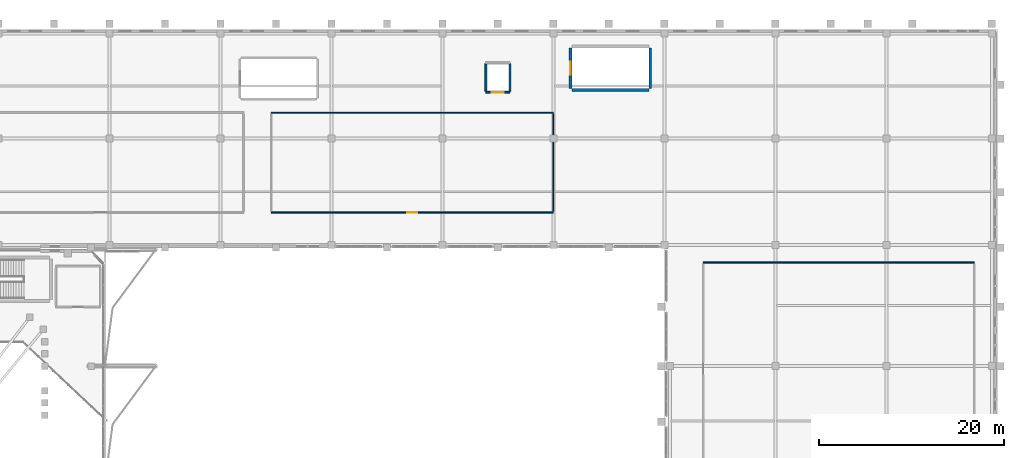
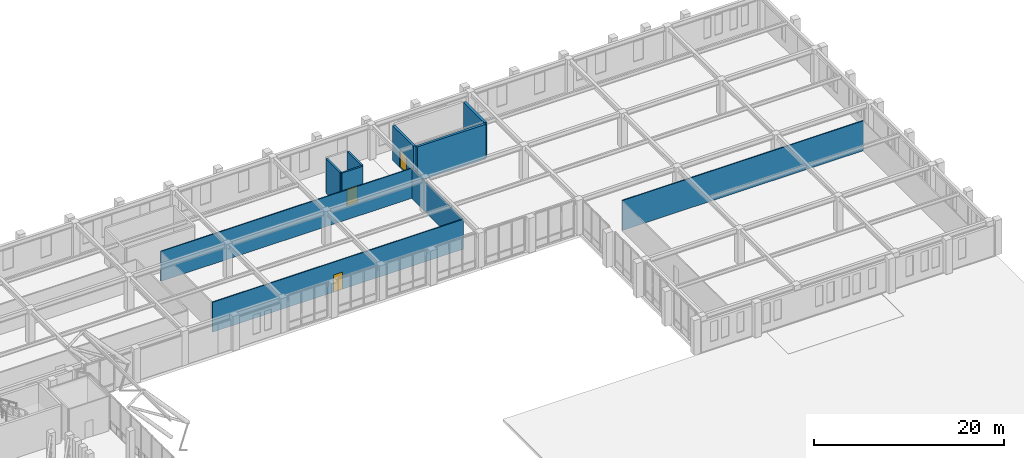
# One storey, part 64 of 79: 10 walls, 3 doors, 3 openings.
"""IFC4 building model written with IfcOpenShell, lengths in metres."""

import ifcopenshell
import ifcopenshell.guid

model = None  # the IFC model being written
_history = None  # IfcOwnerHistory: only IFC2X3 demands one
_inside = {}  # id of a spatial element -> (the spatial element, [elements in it])
_under = {}  # id of a project, library or spatial element -> (it, [spatial elements below it])
_declared = {}  # id of a project -> (the project, [libraries it declares])
_typed = {}  # id of a type object -> (the type object, [elements of that type])
_made_of = {}  # id of a material, layer set ... -> (it, [elements and type objects made of it])


def new_model(schema):
    """Start an empty IFC model of exactly this schema.

    Asked for "IFC4X3", IfcOpenShell would pick the latest addendum, in which some entities
    have other attributes; the version numbers below select the first issue.
    IFC2X3 requires an IfcOwnerHistory on every rooted entity: one is made here for all.
    """
    global model, _history
    if schema == "IFC4X3":
        model = ifcopenshell.file(schema_version=(4, 3, 0, 0))
    else:
        model = ifcopenshell.file(schema=schema)
    _inside.clear()
    _under.clear()
    _declared.clear()
    _typed.clear()
    _made_of.clear()
    _history = None
    if model.schema == "IFC2X3":
        org = make("IfcOrganization", Name="unknown")
        user = make(
            "IfcPersonAndOrganization",
            ThePerson=make("IfcPerson", FamilyName="unknown"),
            TheOrganization=org,
        )
        app = make(
            "IfcApplication",
            ApplicationDeveloper=org,
            Version="unknown",
            ApplicationFullName="unknown",
            ApplicationIdentifier="unknown",
        )
        _history = make(
            "IfcOwnerHistory",
            OwningUser=user,
            OwningApplication=app,
            ChangeAction="ADDED",
            CreationDate=0,
        )
    return model


def make(cls, **values):
    """One entity of the class cls with the attributes given. An attribute that is None is left unset."""
    return model.create_entity(
        cls, **{name: value for name, value in values.items() if value is not None}
    )


def rooted(cls, **values):
    """An entity with a GlobalId (a new one), such as an element, a storey or a relation."""
    return make(cls, GlobalId=ifcopenshell.guid.new(), OwnerHistory=_history, **values)


def si_unit(unit_type, name, prefix=None):
    """IfcSIUnit, for example si_unit("LENGTHUNIT", "METRE", prefix="MILLI")."""
    return make("IfcSIUnit", UnitType=unit_type, Prefix=prefix, Name=name)


def derived_unit(unit_type, elements):
    """IfcDerivedUnit: a product of units, each with its exponent."""
    return make(
        "IfcDerivedUnit",
        Elements=[
            make("IfcDerivedUnitElement", Unit=unit, Exponent=power)
            for unit, power in elements
        ],
        UnitType=unit_type,
    )


def assignment(units):
    """IfcUnitAssignment: the units of a project."""
    return None if units is None else make("IfcUnitAssignment", Units=units)


def point(xyz):
    """IfcCartesianPoint."""
    return None if xyz is None else make("IfcCartesianPoint", Coordinates=xyz)


def direction(xyz):
    """IfcDirection."""
    return None if xyz is None else make("IfcDirection", DirectionRatios=xyz)


def frame(location, z_axis=None, x_axis=None):
    """IfcAxis2Placement3D, a coordinate frame: its origin and axes. An axis left out is left unset."""
    return make(
        "IfcAxis2Placement3D",
        Location=point(location),
        Axis=direction(z_axis),
        RefDirection=direction(x_axis),
    )


def frame_2d(location, x_axis=None):
    """IfcAxis2Placement2D, a coordinate frame in the plane: its origin and x axis."""
    return make(
        "IfcAxis2Placement2D", Location=point(location), RefDirection=direction(x_axis)
    )


def origin():
    """The frame at (0, 0, 0) with its axes left unset."""
    return frame((0.0, 0.0, 0.0))


def place(relative_to, where):
    """IfcLocalPlacement: puts the frame where relative to a parent placement (None: the world)."""
    return make(
        "IfcLocalPlacement", PlacementRelTo=relative_to, RelativePlacement=where
    )


def context(
    kind, dimensions, precision=None, world=None, true_north=None, identifier=None
):
    """IfcGeometricRepresentationContext, for example the 3D "Model" context."""
    return make(
        "IfcGeometricRepresentationContext",
        ContextIdentifier=identifier,
        ContextType=kind,
        CoordinateSpaceDimension=dimensions,
        Precision=precision,
        WorldCoordinateSystem=world,
        TrueNorth=true_north,
    )


def subcontext(parent, identifier, kind, view, scale=None):
    """IfcGeometricRepresentationSubContext, for example "Body" below "Model"."""
    return make(
        "IfcGeometricRepresentationSubContext",
        ContextIdentifier=identifier,
        ContextType=kind,
        ParentContext=parent,
        TargetScale=scale,
        TargetView=view,
    )


def project(units=None, contexts=None):
    """IfcProject with its units and contexts."""
    return rooted(
        "IfcProject",
        Name="project",
        RepresentationContexts=contexts,
        UnitsInContext=assignment(units),
    )


def spatial(cls, under=None, at=None, **own):
    """A site, building, storey or space (cls), placed at a placement, below another one or the project."""
    s = rooted(cls, ObjectPlacement=at, **own)
    if under is not None:
        _under.setdefault(under.id(), (under, []))[1].append(s)
    return s


def profile(cls, at=None, kind="AREA", **sizes):
    """A parametric profile (cls). Its sizes go by their IFC names, for example OverallWidth=200.0."""
    return make(cls, ProfileType=kind, Position=at, **sizes)


def rectangle(**sizes):
    """IfcRectangleProfileDef."""
    return profile("IfcRectangleProfileDef", **sizes)


def extrude(swept, where, along, depth):
    """IfcExtrudedAreaSolid: the profile swept, set in the frame where, extruded along a direction by depth."""
    return make(
        "IfcExtrudedAreaSolid",
        SweptArea=swept,
        Position=where,
        ExtrudedDirection=direction(along),
        Depth=depth,
    )


def shape(context_of_items, identifier, shape_type, items):
    """IfcShapeRepresentation: the items that make up one representation, for example the "Body"."""
    return make(
        "IfcShapeRepresentation",
        ContextOfItems=context_of_items,
        RepresentationIdentifier=identifier,
        RepresentationType=shape_type,
        Items=items,
    )


def material(Name=None, Category=None):
    """IfcMaterial."""
    return make("IfcMaterial", Name=Name, Category=Category)


def layer(
    of_material, thickness, ventilated=None, Name=None, Category=None, Priority=None
):
    """IfcMaterialLayer: one layer of a wall or slab, of a material (None: an air gap)."""
    return make(
        "IfcMaterialLayer",
        Material=of_material,
        LayerThickness=thickness,
        IsVentilated=ventilated,
        Name=Name,
        Category=Category,
        Priority=Priority,
    )


def layer_set(layers, Name=None):
    """IfcMaterialLayerSet."""
    return make("IfcMaterialLayerSet", MaterialLayers=layers, LayerSetName=Name)


def made_of(thing, what):
    """Note that an element or type object is made of a material, layer set ...; save() writes the relation."""
    if what is not None:
        _made_of.setdefault(what.id(), (what, []))[1].append(thing)
    return thing


def type_object(cls, material=None, **own):
    """A type object (cls), such as IfcWallType, which elements share."""
    return made_of(rooted(cls, **own), material)


def element(
    cls,
    number,
    at=None,
    inside=None,
    cuts=None,
    type_object=None,
    material=None,
    context=None,
    identifier="Body",
    shape_type=None,
    held_by="IfcProductDefinitionShape",
    body=None,
    shapes=None,
    **own,
):
    """One element of the class cls, such as IfcWall. Its Tag is "e" and its number.

    at: its placement. inside: the storey or other place that contains it. cuts: it is an
    opening in that element (IfcRelVoidsElement). A single representation is given by context,
    identifier, shape_type and body (its items); several are given by shapes. held_by: the class
    of the entity that holds the representations. save() writes the other relations.
    """
    e = rooted(cls, Tag="e%d" % number, ObjectPlacement=at, **own)
    if body is not None:
        shapes = [shape(context, identifier, shape_type, body)]
    if shapes is not None:
        e.Representation = make(held_by, Representations=shapes)
    if inside is not None:
        _inside.setdefault(inside.id(), (inside, []))[1].append(e)
    if cuts is not None:
        rooted(
            "IfcRelVoidsElement", RelatingBuildingElement=cuts, RelatedOpeningElement=e
        )
    if type_object is not None:
        _typed.setdefault(type_object.id(), (type_object, []))[1].append(e)
    return made_of(e, material)


def fill(opening, filler):
    """IfcRelFillsElement: the door or window that sits in an opening."""
    return rooted(
        "IfcRelFillsElement",
        RelatingOpeningElement=opening,
        RelatedBuildingElement=filler,
    )


def aggregate(whole, parts):
    """IfcRelAggregates: a whole, such as a stair, and the parts it consists of."""
    return rooted("IfcRelAggregates", RelatingObject=whole, RelatedObjects=parts)


def save(model, path):
    """Write the relations noted so far, then the file.

    IfcRelAggregates (storeys below a building ...), IfcRelContainedInSpatialStructure (elements
    in a storey), IfcRelDefinesByType, IfcRelAssociatesMaterial and IfcRelDeclares: one each for
    every whole, place, type object, material and project.
    """
    for whole, parts in _under.values():
        aggregate(whole, parts)
    for where, things in _inside.values():
        rooted(
            "IfcRelContainedInSpatialStructure",
            RelatedElements=things,
            RelatingStructure=where,
        )
    for kind, things in _typed.values():
        rooted("IfcRelDefinesByType", RelatedObjects=things, RelatingType=kind)
    for what, things in _made_of.values():
        rooted("IfcRelAssociatesMaterial", RelatedObjects=things, RelatingMaterial=what)
    for by, libraries in _declared.values():
        rooted("IfcRelDeclares", RelatingContext=by, RelatedDefinitions=libraries)
    model.write(path)


model = new_model("IFC4")

# Units and contexts
model_context = context("Model", 3, precision=1e-05, world=origin(), true_north=direction((0.0, 1.0)))
body_context = subcontext(model_context, "Body", "Model", "MODEL_VIEW")
ifc_project = project(units=[si_unit("LENGTHUNIT", "METRE"), si_unit("AREAUNIT", "SQUARE_METRE"), si_unit("VOLUMEUNIT", "CUBIC_METRE"), si_unit("PLANEANGLEUNIT", "RADIAN"), si_unit("MASSUNIT", "GRAM", prefix="KILO"), derived_unit("THERMALTRANSMITTANCEUNIT", [(si_unit("MASSUNIT", "GRAM", prefix="KILO"), 1), (si_unit("TIMEUNIT", "SECOND"), -3), (si_unit("THERMODYNAMICTEMPERATUREUNIT", "KELVIN"), -1)])], contexts=[model_context])

# Site, building, storey
site_placement = place(None, origin())
site = spatial("IfcSite", under=ifc_project, at=site_placement, CompositionType="ELEMENT")
building_placement = place(site_placement, origin())
building = spatial("IfcBuilding", under=site, at=building_placement, Name="Valcora Ridge Arena", CompositionType="ELEMENT")
storey_placement = place(building_placement, frame((0.0, 0.0, 16.199951171875)))
storey = spatial("IfcBuildingStorey", under=building, at=storey_placement, Name="L03", CompositionType="ELEMENT", Elevation=16.199951171875)

# Wall, opening, door
ifc_material_1 = material(Name="Acoustic metal-stud gypsum partition 120 mm")
ifc_layer_1 = layer(ifc_material_1, 0.1201171875, Name="Acoustic metal-stud gypsum partition 120 mm")
ifc_layer_set_1 = layer_set([ifc_layer_1], Name="Acoustic metal-stud gypsum partition 120 mm")
wall_type_1 = type_object("IfcWallType", Name="TY-WALL-IW-PART-120", PredefinedType="PARTITIONING", material=ifc_layer_set_1)
wall_1_placement = place(storey_placement, frame((113.5, 112.199951171875, 0.0), z_axis=(0.0, 0.0, 1.0), x_axis=(1.0, 0.0, 0.0)))
wall_1 = element("IfcWall", 1, at=wall_1_placement, inside=storey, type_object=wall_type_1, Name="IW-PART-120 WAL-IN-0447", PredefinedType="PARTITIONING", context=body_context, shape_type="SweptSolid", body=[
    extrude(rectangle(XDim=30.5, YDim=0.1201171875, at=frame_2d((15.25, 0.0))), origin(), (0.0, 0.0, 1.0), 3.84814453125),
])
opening_1_placement = place(wall_1_placement, frame((14.699951171875, 0.0, 0.0)))
opening_1 = element("IfcOpeningElement", 2, at=opening_1_placement, cuts=wall_1, Name="Opening D-INT-1100", PredefinedType="OPENING", context=body_context, shape_type="SweptSolid", body=[
    extrude(rectangle(XDim=1.10009765625, YDim=2.199951171875, at=frame_2d((0.550048828125, 1.10009765625))), frame((0.0, 0.070068359375, 0.0), z_axis=(0.0, -1.0, 0.0), x_axis=(1.0, 0.0, 0.0)), (0.0, 0.0, 1.0), 0.14013671875),
])
ifc_material_2 = material(Name="Solid-core acoustic timber veneer door leaf", Category="wood")
door_type_1 = type_object("IfcDoorType", Name="TY-DOOR-D-INT-1100", OperationType="NOTDEFINED", PredefinedType="DOOR", material=ifc_material_2)
door_1_placement = place(opening_1_placement, origin())
door_1 = element("IfcDoor", 3, at=door_1_placement, inside=storey, type_object=door_type_1, Name="D-INT-1100 DOR-IN-0117", OperationType="SINGLE_SWING_LEFT", OverallHeight=2.199951171875, OverallWidth=1.10009765625, PredefinedType="DOOR", context=body_context, shape_type="SweptSolid", body=[
    extrude(rectangle(XDim=1.10009765625, YDim=2.199951171875, at=frame_2d((0.550048828125, 1.10009765625))), frame((0.0, 0.02490234375, 0.0), z_axis=(0.0, -1.0, 0.0), x_axis=(1.0, 0.0, 0.0)), (0.0, 0.0, 1.0), 0.050048828125),
])
fill(opening_1, door_1)

# Walls
wall_2_placement = place(storey_placement, frame((113.5, 123.0, 0.0), z_axis=(0.0, 0.0, 1.0), x_axis=(1.0, 0.0, 0.0)))
element("IfcWall", 4, at=wall_2_placement, inside=storey, type_object=wall_type_1, Name="IW-PART-120 WAL-IN-0448", PredefinedType="PARTITIONING", context=body_context, shape_type="SweptSolid", body=[
    extrude(rectangle(XDim=30.5, YDim=0.1201171875, at=frame_2d((15.25, 0.0))), origin(), (0.0, 0.0, 1.0), 3.84814453125),
])
wall_3_placement = place(storey_placement, frame((144.0, 112.320068359375, 0.0), z_axis=(0.0, 0.0, 1.0), x_axis=(0.0, 1.0, 0.0)))
element("IfcWall", 5, at=wall_3_placement, inside=storey, type_object=wall_type_1, Name="IW-PART-120 WAL-IN-0450", PredefinedType="PARTITIONING", context=body_context, shape_type="SweptSolid", body=[
    extrude(rectangle(XDim=10.559814453125, YDim=0.1201171875, at=frame_2d((5.27978515625, 0.0))), origin(), (0.0, 0.0, 1.0), 3.84814453125),
])
wall_4_placement = place(storey_placement, frame((160.199951171875, 106.800048828125, 0.0), z_axis=(0.0, 0.0, 1.0), x_axis=(1.0, 0.0, 0.0)))
element("IfcWall", 6, at=wall_4_placement, inside=storey, type_object=wall_type_1, Name="IW-PART-120 WAL-IN-0452", PredefinedType="PARTITIONING", context=body_context, shape_type="SweptSolid", body=[
    extrude(rectangle(XDim=29.300048828125, YDim=0.1201171875, at=frame_2d((14.64990234375, 0.0))), origin(), (0.0, 0.0, 1.0), 3.84814453125),
])

# Wall, opening, door
ifc_material_3 = material(Name="Concrete C40/50", Category="concrete")
ifc_layer_2 = layer(ifc_material_3, 0.199951171875, Name="Concrete C40/50")
ifc_layer_set_2 = layer_set([ifc_layer_2], Name="Concrete C40/50")
wall_type_2 = type_object("IfcWallType", Name="TY-WALL-IW-SHF-200", PredefinedType="STANDARD", material=ifc_layer_set_2)
wall_5_placement = place(storey_placement, frame((136.699951171875, 125.199951171875, 0.0), z_axis=(0.0, 0.0, 1.0), x_axis=(1.0, 0.0, 0.0)))
wall_5 = element("IfcWall", 7, at=wall_5_placement, inside=storey, type_object=wall_type_2, Name="IW-SHF-200 WAL-SH-0281", PredefinedType="STANDARD", context=body_context, shape_type="SweptSolid", body=[
    extrude(rectangle(XDim=2.60009765625, YDim=0.199951171875, at=frame_2d((1.300048828125, 0.0))), origin(), (0.0, 0.0, 1.0), 4.4599609375),
])
opening_2_placement = place(wall_5_placement, frame((0.64990234375, 0.0, 0.0)))
opening_2 = element("IfcOpeningElement", 8, at=opening_2_placement, cuts=wall_5, Name="Opening LD-GDS", PredefinedType="OPENING", context=body_context, shape_type="SweptSolid", body=[
    extrude(rectangle(XDim=1.300048828125, YDim=2.14990234375, at=frame_2d((0.64990234375, 1.074951171875))), frame((0.0, 0.10986328125, 0.0), z_axis=(0.0, -1.0, 0.0), x_axis=(1.0, 0.0, 0.0)), (0.0, 0.0, 1.0), 0.219970703125),
])
ifc_material_4 = material(Name="Insulated fire-rated hollow metal steel", Category="steel")
door_type_2 = type_object("IfcDoorType", Name="TY-DOOR-LD-GDS", OperationType="NOTDEFINED", PredefinedType="DOOR", material=ifc_material_4)
door_2_placement = place(opening_2_placement, origin())
door_2 = element("IfcDoor", 9, at=door_2_placement, inside=storey, type_object=door_type_2, Name="GL2 Landing Door L03", OperationType="SLIDING_TO_LEFT", OverallHeight=2.14990234375, OverallWidth=1.300048828125, PredefinedType="DOOR", context=body_context, shape_type="SweptSolid", body=[
    extrude(rectangle(XDim=1.300048828125, YDim=2.14990234375, at=frame_2d((0.64990234375, 1.074951171875))), frame((0.0, 0.02490234375, 0.0), z_axis=(0.0, -1.0, 0.0), x_axis=(1.0, 0.0, 0.0)), (0.0, 0.0, 1.0), 0.050048828125),
])
fill(opening_2, door_2)

# Walls
for number, where, z_axis, x_axis, name in (
    (10, (136.699951171875, 125.320068359375, 0.0), (0.0, 0.0, 1.0), (0.0, 1.0, 0.0), "IW-SHF-200 WAL-SH-0283"),
    (11, (139.300048828125, 125.320068359375, 0.0), (0.0, 0.0, 1.0), (0.0, 1.0, 0.0), "IW-SHF-200 WAL-SH-0284"),
):
    element("IfcWall", number, at=place(storey_placement, frame(where, z_axis=z_axis, x_axis=x_axis)), inside=storey, type_object=wall_type_2, Name=name, PredefinedType="STANDARD", context=body_context, shape_type="SweptSolid", body=[
        extrude(rectangle(XDim=2.9599609375, YDim=0.199951171875, at=frame_2d((1.47998046875, 0.0))), origin(), (0.0, 0.0, 1.0), 4.4599609375),
    ])
ifc_material_5 = material(Name="Concrete C45/55", Category="concrete")
ifc_layer_3 = layer(ifc_material_5, 0.300048828125, Name="Concrete C45/55")
ifc_layer_set_3 = layer_set([ifc_layer_3], Name="Concrete C45/55")
wall_type_3 = type_object("IfcWallType", Name="TY-WALL-SW-C300-L", PredefinedType="SHEAR", material=ifc_layer_set_3)
wall_6_placement = place(storey_placement, frame((146.0, 125.449951171875, 0.0), z_axis=(0.0, 0.0, 1.0), x_axis=(1.0, 0.0, 0.0)))
element("IfcWall", 12, at=wall_6_placement, inside=storey, type_object=wall_type_3, Name="SW-C300-L WAL-CR-0213", PredefinedType="SHEAR", context=body_context, shape_type="SweptSolid", body=[
    extrude(rectangle(XDim=8.320068359375, YDim=0.300048828125, at=frame_2d((4.16015625, 0.0))), origin(), (0.0, 0.0, 1.0), 4.4599609375),
])

# Wall, opening, door
ifc_layer_4 = layer(ifc_material_5, 0.300048828125, Name="Concrete C45/55")
ifc_layer_set_4 = layer_set([ifc_layer_4], Name="Concrete C45/55")
wall_type_4 = type_object("IfcWallType", Name="TY-WALL-SW-C300-S", PredefinedType="SHEAR", material=ifc_layer_set_4)
wall_7_placement = place(storey_placement, frame((145.85009765625, 125.60009765625, 0.0), z_axis=(0.0, 0.0, 1.0), x_axis=(0.0, 1.0, 0.0)))
wall_7 = element("IfcWall", 13, at=wall_7_placement, inside=storey, type_object=wall_type_4, Name="SW-C300-S WAL-CR-0215", PredefinedType="SHEAR", context=body_context, shape_type="SweptSolid", body=[
    extrude(rectangle(XDim=4.39990234375, YDim=0.300048828125, at=frame_2d((2.199951171875, 0.0))), origin(), (0.0, 0.0, 1.0), 4.4599609375),
])
opening_3_placement = place(wall_7_placement, frame((1.5, 0.0, 0.0)))
opening_3 = element("IfcOpeningElement", 14, at=opening_3_placement, cuts=wall_7, Name="Opening FD-01", PredefinedType="OPENING", context=body_context, shape_type="SweptSolid", body=[
    extrude(rectangle(XDim=1.39990234375, YDim=2.199951171875, at=frame_2d((0.699951171875, 1.10009765625))), frame((0.0, 0.159912109375, 0.0), z_axis=(0.0, -1.0, 0.0), x_axis=(1.0, 0.0, 0.0)), (0.0, 0.0, 1.0), 0.320068359375),
])
ifc_material_6 = material(Name="Insulated fire-rated steel door leaf", Category="steel")
door_type_3 = type_object("IfcDoorType", Name="TY-DOOR-FD-01", OperationType="NOTDEFINED", PredefinedType="DOOR", material=ifc_material_6)
door_3_placement = place(opening_3_placement, origin())
door_3 = element("IfcDoor", 15, at=door_3_placement, inside=storey, type_object=door_type_3, Name="FD-01 DOR-ST-0054", OperationType="DOUBLE_DOOR_SINGLE_SWING", OverallHeight=2.199951171875, OverallWidth=1.39990234375, PredefinedType="DOOR", context=body_context, shape_type="SweptSolid", body=[
    extrude(rectangle(XDim=1.39990234375, YDim=2.199951171875, at=frame_2d((0.699951171875, 1.10009765625))), frame((0.0, 0.02490234375, 0.0), z_axis=(0.0, -1.0, 0.0), x_axis=(1.0, 0.0, 0.0)), (0.0, 0.0, 1.0), 0.050048828125),
])
fill(opening_3, door_3)

# Wall
wall_8_placement = place(storey_placement, frame((154.469970703125, 125.60009765625, 0.0), z_axis=(0.0, 0.0, 1.0), x_axis=(0.0, 1.0, 0.0)))
element("IfcWall", 16, at=wall_8_placement, inside=storey, type_object=wall_type_4, Name="SW-C300-S WAL-CR-0216", PredefinedType="SHEAR", context=body_context, shape_type="SweptSolid", body=[
    extrude(rectangle(XDim=4.39990234375, YDim=0.300048828125, at=frame_2d((2.199951171875, 0.0))), origin(), (0.0, 0.0, 1.0), 4.4599609375),
])

save(model, "model.ifc")
